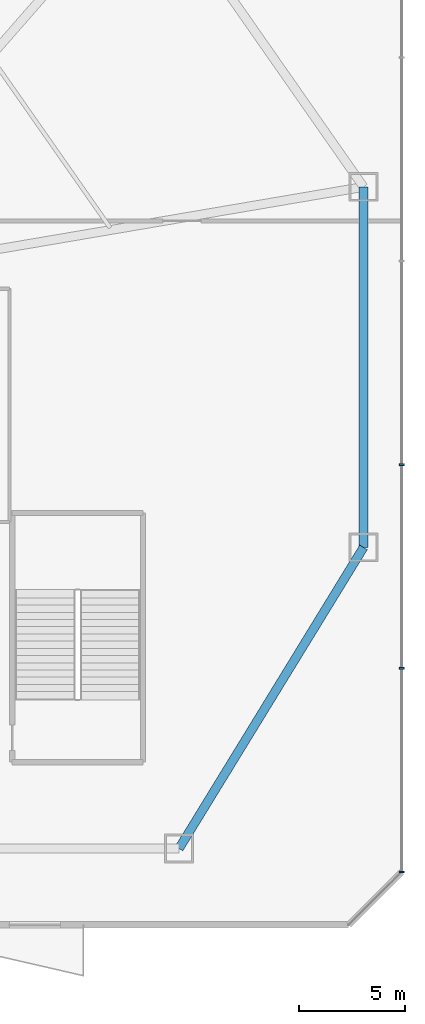
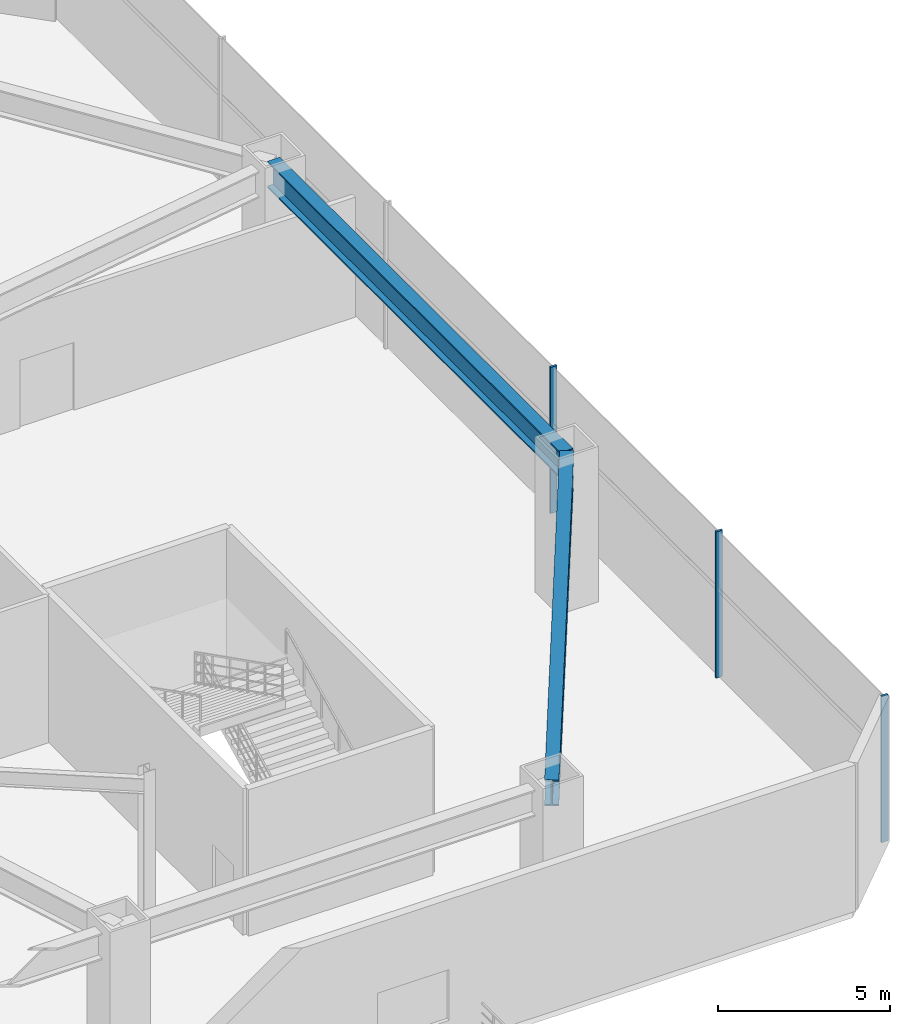
# One storey, part 9 of 20: 3 members, 2 beams, 1 element without a shape of its own.
"""IFC4 building model written with IfcOpenShell, lengths in metres."""

from ifc_helpers import new_model, si_unit, direction, frame, origin, origin_2d, place, context, subcontext, project, spatial, rectangle, i_section, extrude, source, transform, mapped, material, layer, layer_set, material_profile, profile_set, type_object, type_shapes, element, aggregate, save


model = new_model("IFC4")

# Units and contexts
model_context = context("Model", 3, precision=1e-05, world=origin(), true_north=direction((0.0, 1.0)))
body_context = subcontext(model_context, "Body", "Model", "MODEL_VIEW")
ifc_project = project(units=[si_unit("LENGTHUNIT", "METRE"), si_unit("AREAUNIT", "SQUARE_METRE"), si_unit("VOLUMEUNIT", "CUBIC_METRE"), si_unit("PLANEANGLEUNIT", "RADIAN"), si_unit("MASSUNIT", "GRAM", prefix="KILO")], contexts=[model_context])

# Site, building, storey
site_placement = place(None, origin())
site = spatial("IfcSite", under=ifc_project, at=site_placement, CompositionType="ELEMENT")
building_placement = place(site_placement, origin())
building = spatial("IfcBuilding", under=site, at=building_placement, Name="Varakhsha Concourse Tower", CompositionType="ELEMENT")
storey_placement = place(building_placement, frame((0.0, 0.0, 16.5)))
storey = spatial("IfcBuildingStorey", under=building, at=storey_placement, Name="L04", CompositionType="ELEMENT", Elevation=16.5)

# Beams
ifc_material_1 = material(Name="Structural Steel ASTM A992 Grade 50", Category="steel")
ifc_material_profile_1 = material_profile(ifc_material_1, i_section(OverallWidth=0.41796875, OverallDepth=0.927001953125, WebThickness=0.030029296875, FlangeThickness=0.051025390625, at=origin_2d()), Name="W36X231")
ifc_profile_set_1 = profile_set([ifc_material_profile_1], Name="Structural Steel ASTM A992 Grade 50")
beam_type = type_object("IfcBeamType", Name="BM-HALL-W36X231", PredefinedType="USERDEFINED", material=ifc_profile_set_1)
beam_1_placement = place(storey_placement, frame((66.5, 4.60009765625, 4.716552734375), z_axis=(0.522420415639, 0.852688049244, 0.0), x_axis=(-0.852688049244, 0.522420415639, 0.0)))
element("IfcBeam", 1, at=beam_1_placement, inside=storey, type_object=beam_type, Name="BM-PRING-L04-04", ObjectType="GIRDER", PredefinedType="USERDEFINED", context=body_context, shape_type="SweptSolid", body=[
    extrude(i_section(OverallWidth=0.41796875, OverallDepth=0.927001953125, WebThickness=0.030029296875, FlangeThickness=0.051025390625, at=origin_2d()), origin(), (0.0, 0.0, 1.0), 16.653076171875),
])
beam_2_placement = place(storey_placement, frame((75.199951171875, 18.800048828125, 4.716552734375), z_axis=(0.0, 1.0, 0.0), x_axis=(-1.0, 0.0, 0.0)))
element("IfcBeam", 2, at=beam_2_placement, inside=storey, type_object=beam_type, Name="BM-PRING-L04-05", ObjectType="GIRDER", PredefinedType="USERDEFINED", context=body_context, shape_type="SweptSolid", body=[
    extrude(i_section(OverallWidth=0.41796875, OverallDepth=0.927001953125, WebThickness=0.030029296875, FlangeThickness=0.051025390625, at=origin_2d()), origin(), (0.0, 0.0, 1.0), 17.0),
])

# Curtain wall, members
ifc_material_2 = material(Name="Anodised Bronze Architectural Aluminium AA 6063-T6", Category="aluminium")
ifc_layer = layer(ifc_material_2, 0.239990234375, Name="CW-SYS-01")
ifc_layer_set = layer_set([ifc_layer], Name="Anodised Bronze Architectural Aluminium AA 6063-T6")
curtain_wall_type = type_object("IfcCurtainWallType", Name="CW-SYS-01", PredefinedType="NOTDEFINED", material=ifc_layer_set)
curtain_wall_placement = place(storey_placement, origin())
curtain_wall = element("IfcCurtainWall", 3, at=curtain_wall_placement, inside=storey, type_object=curtain_wall_type, Name="L04 Podium Curtain Wall 03", PredefinedType="NOTDEFINED")
ifc_material_profile_2 = material_profile(ifc_material_2, rectangle(XDim=0.074951171875, YDim=0.219970703125, at=origin_2d()), Name="CWM-220X75")
ifc_profile_set_2 = profile_set([ifc_material_profile_2], Name="Anodised Bronze Architectural Aluminium AA 6063-T6")
member_type = type_object("IfcMemberType", Name="CWM-220X75", PredefinedType="MULLION", material=ifc_profile_set_2)
shared_shape = source(origin(), body_context, "Body", "SweptSolid", [
    extrude(rectangle(XDim=0.074951171875, YDim=0.219970703125, at=origin_2d()), origin(), (0.0, 0.0, 1.0), 5.179931640625),
])
type_shapes(member_type, [shared_shape])
member_1_placement = place(storey_placement, frame((77.0, 3.5, 0.0), z_axis=(0.0, 0.0, 1.0), x_axis=(0.0, 1.0, 0.0)))
member_1 = element("IfcMember", 4, at=member_1_placement, type_object=member_type, Name="CW-POD-L04-03 Mullion 00", PredefinedType="MULLION", context=body_context, shape_type="MappedRepresentation", body=[
    mapped(shared_shape, transform((0.0, 0.0, 0.0), scale=1.0)),
])
member_2_placement = place(storey_placement, frame((77.0, 13.10009765625, 0.0), z_axis=(0.0, 0.0, 1.0), x_axis=(0.0, 1.0, 0.0)))
member_2 = element("IfcMember", 5, at=member_2_placement, type_object=member_type, Name="CW-POD-L04-03 Mullion 01", PredefinedType="MULLION", context=body_context, shape_type="MappedRepresentation", body=[
    mapped(shared_shape, transform((0.0, 0.0, 0.0), scale=1.0)),
])
member_3_placement = place(storey_placement, frame((77.0, 22.699951171875, 0.0), z_axis=(0.0, 0.0, 1.0), x_axis=(0.0, 1.0, 0.0)))
member_3 = element("IfcMember", 6, at=member_3_placement, type_object=member_type, Name="CW-POD-L04-03 Mullion 02", PredefinedType="MULLION", context=body_context, shape_type="MappedRepresentation", body=[
    mapped(shared_shape, transform((0.0, 0.0, 0.0), scale=1.0)),
])
aggregate(curtain_wall, [member_1, member_2, member_3])

save(model, "model.ifc")
